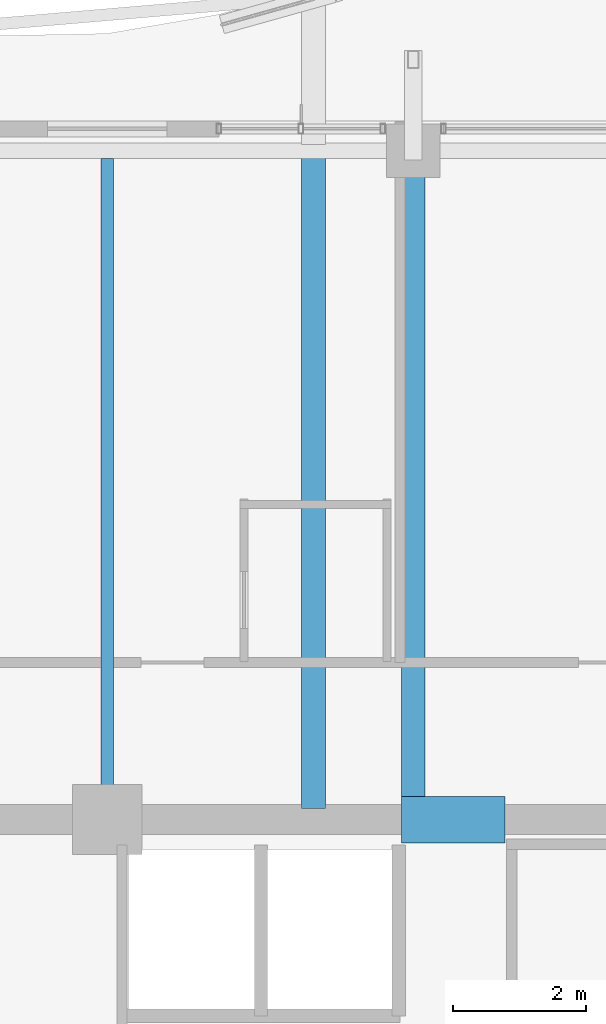
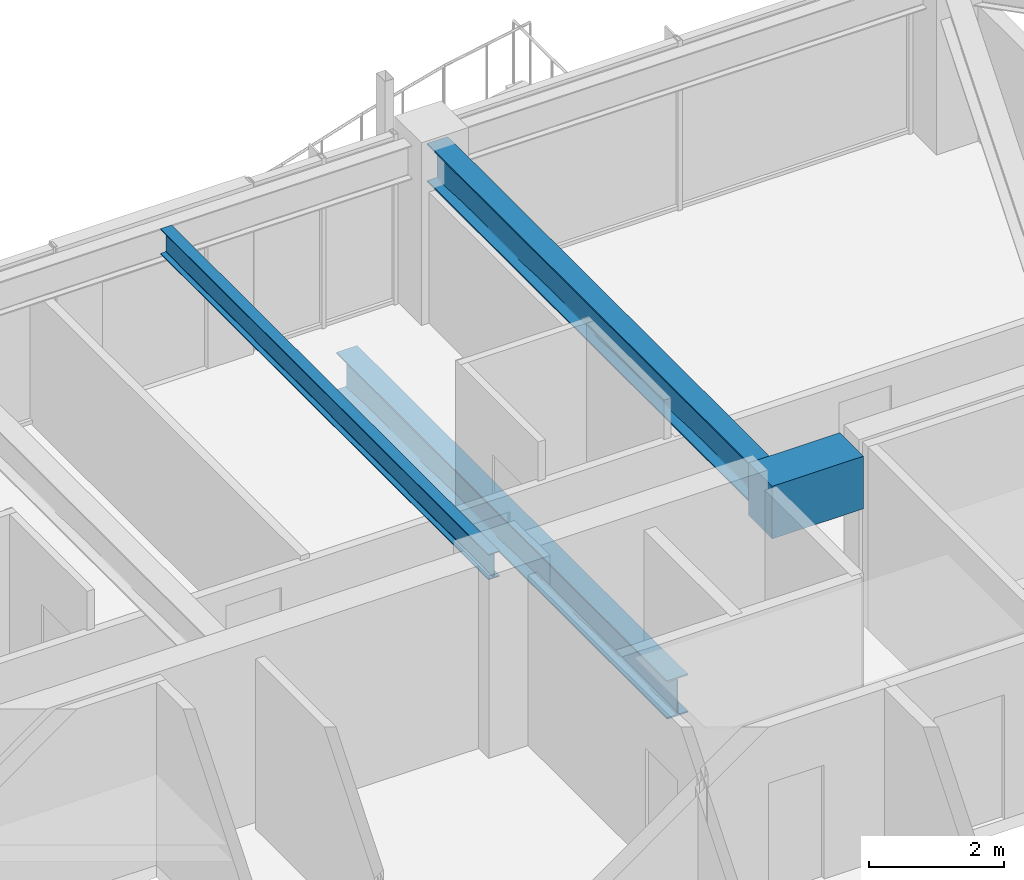
# One storey, part 19 of 38: 4 beams.
"""IFC4 building model written with IfcOpenShell, lengths in metres."""

import ifcopenshell
import ifcopenshell.guid

model = None  # the IFC model being written
_history = None  # IfcOwnerHistory: only IFC2X3 demands one
_inside = {}  # id of a spatial element -> (the spatial element, [elements in it])
_under = {}  # id of a project, library or spatial element -> (it, [spatial elements below it])
_declared = {}  # id of a project -> (the project, [libraries it declares])
_typed = {}  # id of a type object -> (the type object, [elements of that type])
_made_of = {}  # id of a material, layer set ... -> (it, [elements and type objects made of it])


def new_model(schema):
    """Start an empty IFC model of exactly this schema.

    Asked for "IFC4X3", IfcOpenShell would pick the latest addendum, in which some entities
    have other attributes; the version numbers below select the first issue.
    IFC2X3 requires an IfcOwnerHistory on every rooted entity: one is made here for all.
    """
    global model, _history
    if schema == "IFC4X3":
        model = ifcopenshell.file(schema_version=(4, 3, 0, 0))
    else:
        model = ifcopenshell.file(schema=schema)
    _inside.clear()
    _under.clear()
    _declared.clear()
    _typed.clear()
    _made_of.clear()
    _history = None
    if model.schema == "IFC2X3":
        org = make("IfcOrganization", Name="unknown")
        user = make(
            "IfcPersonAndOrganization",
            ThePerson=make("IfcPerson", FamilyName="unknown"),
            TheOrganization=org,
        )
        app = make(
            "IfcApplication",
            ApplicationDeveloper=org,
            Version="unknown",
            ApplicationFullName="unknown",
            ApplicationIdentifier="unknown",
        )
        _history = make(
            "IfcOwnerHistory",
            OwningUser=user,
            OwningApplication=app,
            ChangeAction="ADDED",
            CreationDate=0,
        )
    return model


def make(cls, **values):
    """One entity of the class cls with the attributes given. An attribute that is None is left unset."""
    return model.create_entity(
        cls, **{name: value for name, value in values.items() if value is not None}
    )


def rooted(cls, **values):
    """An entity with a GlobalId (a new one), such as an element, a storey or a relation."""
    return make(cls, GlobalId=ifcopenshell.guid.new(), OwnerHistory=_history, **values)


def si_unit(unit_type, name, prefix=None):
    """IfcSIUnit, for example si_unit("LENGTHUNIT", "METRE", prefix="MILLI")."""
    return make("IfcSIUnit", UnitType=unit_type, Prefix=prefix, Name=name)


def assignment(units):
    """IfcUnitAssignment: the units of a project."""
    return None if units is None else make("IfcUnitAssignment", Units=units)


def point(xyz):
    """IfcCartesianPoint."""
    return None if xyz is None else make("IfcCartesianPoint", Coordinates=xyz)


def direction(xyz):
    """IfcDirection."""
    return None if xyz is None else make("IfcDirection", DirectionRatios=xyz)


def frame(location, z_axis=None, x_axis=None):
    """IfcAxis2Placement3D, a coordinate frame: its origin and axes. An axis left out is left unset."""
    return make(
        "IfcAxis2Placement3D",
        Location=point(location),
        Axis=direction(z_axis),
        RefDirection=direction(x_axis),
    )


def frame_2d(location, x_axis=None):
    """IfcAxis2Placement2D, a coordinate frame in the plane: its origin and x axis."""
    return make(
        "IfcAxis2Placement2D", Location=point(location), RefDirection=direction(x_axis)
    )


def origin():
    """The frame at (0, 0, 0) with its axes left unset."""
    return frame((0.0, 0.0, 0.0))


def origin_2d():
    """The frame at (0, 0) in the plane with its x axis left unset."""
    return frame_2d((0.0, 0.0))


def place(relative_to, where):
    """IfcLocalPlacement: puts the frame where relative to a parent placement (None: the world)."""
    return make(
        "IfcLocalPlacement", PlacementRelTo=relative_to, RelativePlacement=where
    )


def context(
    kind, dimensions, precision=None, world=None, true_north=None, identifier=None
):
    """IfcGeometricRepresentationContext, for example the 3D "Model" context."""
    return make(
        "IfcGeometricRepresentationContext",
        ContextIdentifier=identifier,
        ContextType=kind,
        CoordinateSpaceDimension=dimensions,
        Precision=precision,
        WorldCoordinateSystem=world,
        TrueNorth=true_north,
    )


def subcontext(parent, identifier, kind, view, scale=None):
    """IfcGeometricRepresentationSubContext, for example "Body" below "Model"."""
    return make(
        "IfcGeometricRepresentationSubContext",
        ContextIdentifier=identifier,
        ContextType=kind,
        ParentContext=parent,
        TargetScale=scale,
        TargetView=view,
    )


def project(units=None, contexts=None):
    """IfcProject with its units and contexts."""
    return rooted(
        "IfcProject",
        Name="project",
        RepresentationContexts=contexts,
        UnitsInContext=assignment(units),
    )


def spatial(cls, under=None, at=None, **own):
    """A site, building, storey or space (cls), placed at a placement, below another one or the project."""
    s = rooted(cls, ObjectPlacement=at, **own)
    if under is not None:
        _under.setdefault(under.id(), (under, []))[1].append(s)
    return s


def profile(cls, at=None, kind="AREA", **sizes):
    """A parametric profile (cls). Its sizes go by their IFC names, for example OverallWidth=200.0."""
    return make(cls, ProfileType=kind, Position=at, **sizes)


def rectangle(**sizes):
    """IfcRectangleProfileDef."""
    return profile("IfcRectangleProfileDef", **sizes)


def i_section(**sizes):
    """IfcIShapeProfileDef."""
    return profile("IfcIShapeProfileDef", **sizes)


def extrude(swept, where, along, depth):
    """IfcExtrudedAreaSolid: the profile swept, set in the frame where, extruded along a direction by depth."""
    return make(
        "IfcExtrudedAreaSolid",
        SweptArea=swept,
        Position=where,
        ExtrudedDirection=direction(along),
        Depth=depth,
    )


def shape(context_of_items, identifier, shape_type, items):
    """IfcShapeRepresentation: the items that make up one representation, for example the "Body"."""
    return make(
        "IfcShapeRepresentation",
        ContextOfItems=context_of_items,
        RepresentationIdentifier=identifier,
        RepresentationType=shape_type,
        Items=items,
    )


def material(Name=None, Category=None):
    """IfcMaterial."""
    return make("IfcMaterial", Name=Name, Category=Category)


def material_profile(
    of_material, cross_section, Name=None, Category=None, Priority=None
):
    """IfcMaterialProfile: a cross section and its material."""
    return make(
        "IfcMaterialProfile",
        Name=Name,
        Material=of_material,
        Profile=cross_section,
        Priority=Priority,
        Category=Category,
    )


def profile_set(profiles, Name=None, composite=None):
    """IfcMaterialProfileSet."""
    return make(
        "IfcMaterialProfileSet",
        Name=Name,
        MaterialProfiles=profiles,
        CompositeProfile=composite,
    )


def made_of(thing, what):
    """Note that an element or type object is made of a material, layer set ...; save() writes the relation."""
    if what is not None:
        _made_of.setdefault(what.id(), (what, []))[1].append(thing)
    return thing


def type_object(cls, material=None, **own):
    """A type object (cls), such as IfcWallType, which elements share."""
    return made_of(rooted(cls, **own), material)


def element(
    cls,
    number,
    at=None,
    inside=None,
    cuts=None,
    type_object=None,
    material=None,
    context=None,
    identifier="Body",
    shape_type=None,
    held_by="IfcProductDefinitionShape",
    body=None,
    shapes=None,
    **own,
):
    """One element of the class cls, such as IfcWall. Its Tag is "e" and its number.

    at: its placement. inside: the storey or other place that contains it. cuts: it is an
    opening in that element (IfcRelVoidsElement). A single representation is given by context,
    identifier, shape_type and body (its items); several are given by shapes. held_by: the class
    of the entity that holds the representations. save() writes the other relations.
    """
    e = rooted(cls, Tag="e%d" % number, ObjectPlacement=at, **own)
    if body is not None:
        shapes = [shape(context, identifier, shape_type, body)]
    if shapes is not None:
        e.Representation = make(held_by, Representations=shapes)
    if inside is not None:
        _inside.setdefault(inside.id(), (inside, []))[1].append(e)
    if cuts is not None:
        rooted(
            "IfcRelVoidsElement", RelatingBuildingElement=cuts, RelatedOpeningElement=e
        )
    if type_object is not None:
        _typed.setdefault(type_object.id(), (type_object, []))[1].append(e)
    return made_of(e, material)


def aggregate(whole, parts):
    """IfcRelAggregates: a whole, such as a stair, and the parts it consists of."""
    return rooted("IfcRelAggregates", RelatingObject=whole, RelatedObjects=parts)


def save(model, path):
    """Write the relations noted so far, then the file.

    IfcRelAggregates (storeys below a building ...), IfcRelContainedInSpatialStructure (elements
    in a storey), IfcRelDefinesByType, IfcRelAssociatesMaterial and IfcRelDeclares: one each for
    every whole, place, type object, material and project.
    """
    for whole, parts in _under.values():
        aggregate(whole, parts)
    for where, things in _inside.values():
        rooted(
            "IfcRelContainedInSpatialStructure",
            RelatedElements=things,
            RelatingStructure=where,
        )
    for kind, things in _typed.values():
        rooted("IfcRelDefinesByType", RelatedObjects=things, RelatingType=kind)
    for what, things in _made_of.values():
        rooted("IfcRelAssociatesMaterial", RelatedObjects=things, RelatingMaterial=what)
    for by, libraries in _declared.values():
        rooted("IfcRelDeclares", RelatingContext=by, RelatedDefinitions=libraries)
    model.write(path)


model = new_model("IFC4")

# Units and contexts
model_context = context("Model", 3, precision=1e-05, world=origin(), true_north=direction((0.0, 1.0)))
body_context = subcontext(model_context, "Body", "Model", "MODEL_VIEW")
ifc_project = project(units=[si_unit("LENGTHUNIT", "METRE"), si_unit("AREAUNIT", "SQUARE_METRE"), si_unit("VOLUMEUNIT", "CUBIC_METRE"), si_unit("PLANEANGLEUNIT", "RADIAN"), si_unit("MASSUNIT", "GRAM", prefix="KILO")], contexts=[model_context])

# Site, building, storey
site_placement = place(None, origin())
site = spatial("IfcSite", under=ifc_project, at=site_placement, CompositionType="ELEMENT")
building_placement = place(site_placement, origin())
building = spatial("IfcBuilding", under=site, at=building_placement, Name="Kolvaren Belvedere", CompositionType="ELEMENT")
storey_placement = place(building_placement, frame((0.0, 0.0, 213.0)))
storey = spatial("IfcBuildingStorey", under=building, at=storey_placement, Name="L62", CompositionType="ELEMENT", Elevation=213.0)

# Beams
ifc_material_1 = material(Name="Structural steel ASTM A992 Grade 50", Category="steel")
ifc_material_profile_1 = material_profile(ifc_material_1, i_section(OverallWidth=0.35498046875, OverallDepth=0.696044921875, WebThickness=0.015380859375, FlangeThickness=0.02490234375, FilletRadius=0.02197265625, at=origin_2d()), Name="W27X146")
ifc_profile_set_1 = profile_set([ifc_material_profile_1], Name="Structural steel ASTM A992 Grade 50")
beam_type_1 = type_object("IfcBeamType", Name="BM-GIRD-W27X146", PredefinedType="BEAM", material=ifc_profile_set_1)
beam_1_placement = place(storey_placement, frame((3.10009765625, 10.06494140625, -0.568115234375), z_axis=(0.0, 1.0, 0.0), x_axis=(-1.0, 0.0, 0.0)))
element("IfcBeam", 1, at=beam_1_placement, inside=storey, type_object=beam_type_1, Name="L62 Balcony Interior Back-Span Girder BAL-N-2", PredefinedType="BEAM", context=body_context, shape_type="SweptSolid", body=[
    extrude(i_section(OverallWidth=0.35498046875, OverallDepth=0.696044921875, WebThickness=0.015380859375, FlangeThickness=0.02490234375, FilletRadius=0.02197265625, at=origin_2d()), origin(), (0.0, 0.0, 1.0), 9.7900390625),
])
beam_2_placement = place(storey_placement, frame((4.60009765625, 10.125, 2.73193359375), z_axis=(0.0, 1.0, 0.0), x_axis=(-1.0, 0.0, 0.0)))
element("IfcBeam", 2, at=beam_2_placement, inside=storey, type_object=beam_type_1, Name="L62 North Radial Girder P", PredefinedType="BEAM", context=body_context, shape_type="SweptSolid", body=[
    extrude(i_section(OverallWidth=0.35498046875, OverallDepth=0.696044921875, WebThickness=0.015380859375, FlangeThickness=0.02490234375, FilletRadius=0.02197265625, at=origin_2d()), origin(), (0.0, 0.0, 1.0), 9.64501953125),
])
ifc_material_2 = material(Name="Structural steel ASTM A992 Grade 50", Category="steel")
ifc_material_profile_2 = material_profile(ifc_material_2, i_section(OverallWidth=0.19091796875, OverallDepth=0.4599609375, WebThickness=0.010009765625, FlangeThickness=0.01611328125, FilletRadius=0.014892578125, at=origin_2d()), Name="W18X55")
ifc_profile_set_2 = profile_set([ifc_material_profile_2], Name="Structural steel ASTM A992 Grade 50")
beam_type_2 = type_object("IfcBeamType", Name="BM-JOIST-W18X55", PredefinedType="BEAM", material=ifc_profile_set_2)
beam_3_placement = place(storey_placement, frame((0.0, 10.125, 2.85009765625), z_axis=(0.0, 1.0, 0.0), x_axis=(-1.0, 0.0, 0.0)))
element("IfcBeam", 3, at=beam_3_placement, inside=storey, type_object=beam_type_2, Name="L62 North Centre Floor Beam", PredefinedType="BEAM", context=body_context, shape_type="SweptSolid", body=[
    extrude(i_section(OverallWidth=0.19091796875, OverallDepth=0.4599609375, WebThickness=0.010009765625, FlangeThickness=0.01611328125, FilletRadius=0.014892578125, at=origin_2d()), origin(), (0.0, 0.0, 1.0), 9.71044921875),
])
ifc_material_3 = material(Name="Concrete C60/75", Category="concrete")
ifc_material_profile_3 = material_profile(ifc_material_3, rectangle(XDim=0.699951171875, YDim=0.949951171875, at=origin_2d()), Name="RC 700X950")
ifc_profile_set_3 = profile_set([ifc_material_profile_3], Name="Concrete C60/75")
beam_type_3 = type_object("IfcBeamType", Name="BM-LINT-950", PredefinedType="LINTEL", material=ifc_profile_set_3)
beam_4_placement = place(storey_placement, frame((4.419921875, 9.89990234375, 2.60498046875), z_axis=(1.0, 0.0, 0.0), x_axis=(0.0, 1.0, 0.0)))
element("IfcBeam", 4, at=beam_4_placement, inside=storey, type_object=beam_type_3, Name="L62 North Core Coupling Lintel", PredefinedType="LINTEL", context=body_context, shape_type="SweptSolid", body=[
    extrude(rectangle(XDim=0.699951171875, YDim=0.949951171875, at=origin_2d()), origin(), (0.0, 0.0, 1.0), 1.56005859375),
])

save(model, "model.ifc")
